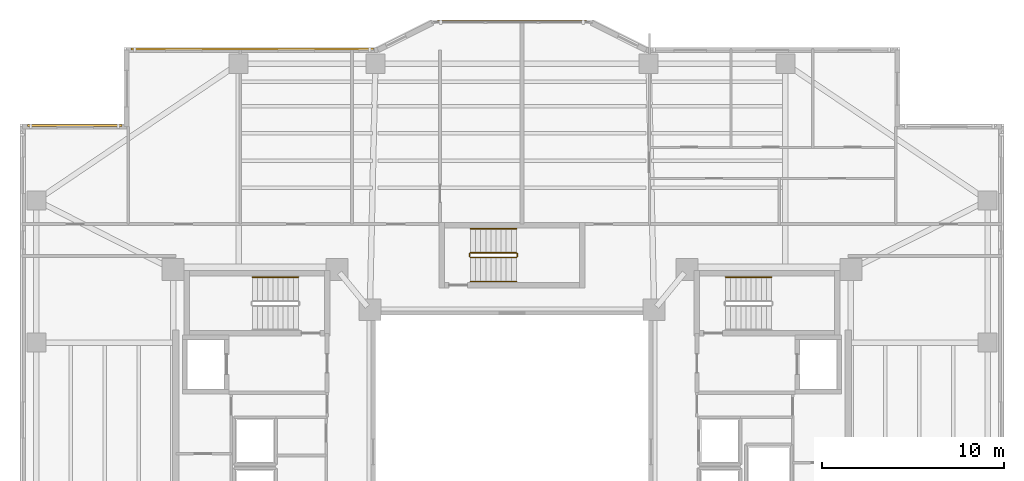
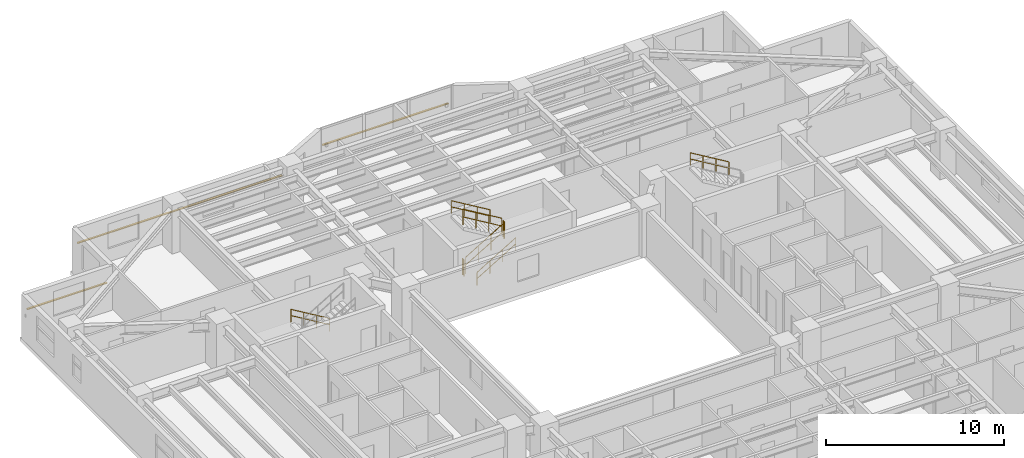
# One storey, part 17 of 18: 8 railings, 3 shading devices.
"""IFC4 building model written with IfcOpenShell, lengths in metres."""

import ifcopenshell
import ifcopenshell.guid

model = None  # the IFC model being written
_history = None  # IfcOwnerHistory: only IFC2X3 demands one
_inside = {}  # id of a spatial element -> (the spatial element, [elements in it])
_under = {}  # id of a project, library or spatial element -> (it, [spatial elements below it])
_declared = {}  # id of a project -> (the project, [libraries it declares])
_typed = {}  # id of a type object -> (the type object, [elements of that type])
_made_of = {}  # id of a material, layer set ... -> (it, [elements and type objects made of it])


def new_model(schema):
    """Start an empty IFC model of exactly this schema.

    Asked for "IFC4X3", IfcOpenShell would pick the latest addendum, in which some entities
    have other attributes; the version numbers below select the first issue.
    IFC2X3 requires an IfcOwnerHistory on every rooted entity: one is made here for all.
    """
    global model, _history
    if schema == "IFC4X3":
        model = ifcopenshell.file(schema_version=(4, 3, 0, 0))
    else:
        model = ifcopenshell.file(schema=schema)
    _inside.clear()
    _under.clear()
    _declared.clear()
    _typed.clear()
    _made_of.clear()
    _history = None
    if model.schema == "IFC2X3":
        org = make("IfcOrganization", Name="unknown")
        user = make(
            "IfcPersonAndOrganization",
            ThePerson=make("IfcPerson", FamilyName="unknown"),
            TheOrganization=org,
        )
        app = make(
            "IfcApplication",
            ApplicationDeveloper=org,
            Version="unknown",
            ApplicationFullName="unknown",
            ApplicationIdentifier="unknown",
        )
        _history = make(
            "IfcOwnerHistory",
            OwningUser=user,
            OwningApplication=app,
            ChangeAction="ADDED",
            CreationDate=0,
        )
    return model


def make(cls, **values):
    """One entity of the class cls with the attributes given. An attribute that is None is left unset."""
    return model.create_entity(
        cls, **{name: value for name, value in values.items() if value is not None}
    )


def rooted(cls, **values):
    """An entity with a GlobalId (a new one), such as an element, a storey or a relation."""
    return make(cls, GlobalId=ifcopenshell.guid.new(), OwnerHistory=_history, **values)


def si_unit(unit_type, name, prefix=None):
    """IfcSIUnit, for example si_unit("LENGTHUNIT", "METRE", prefix="MILLI")."""
    return make("IfcSIUnit", UnitType=unit_type, Prefix=prefix, Name=name)


def assignment(units):
    """IfcUnitAssignment: the units of a project."""
    return None if units is None else make("IfcUnitAssignment", Units=units)


def point(xyz):
    """IfcCartesianPoint."""
    return None if xyz is None else make("IfcCartesianPoint", Coordinates=xyz)


def direction(xyz):
    """IfcDirection."""
    return None if xyz is None else make("IfcDirection", DirectionRatios=xyz)


def frame(location, z_axis=None, x_axis=None):
    """IfcAxis2Placement3D, a coordinate frame: its origin and axes. An axis left out is left unset."""
    return make(
        "IfcAxis2Placement3D",
        Location=point(location),
        Axis=direction(z_axis),
        RefDirection=direction(x_axis),
    )


def frame_2d(location, x_axis=None):
    """IfcAxis2Placement2D, a coordinate frame in the plane: its origin and x axis."""
    return make(
        "IfcAxis2Placement2D", Location=point(location), RefDirection=direction(x_axis)
    )


def origin():
    """The frame at (0, 0, 0) with its axes left unset."""
    return frame((0.0, 0.0, 0.0))


def origin_2d():
    """The frame at (0, 0) in the plane with its x axis left unset."""
    return frame_2d((0.0, 0.0))


def place(relative_to, where):
    """IfcLocalPlacement: puts the frame where relative to a parent placement (None: the world)."""
    return make(
        "IfcLocalPlacement", PlacementRelTo=relative_to, RelativePlacement=where
    )


def context(
    kind, dimensions, precision=None, world=None, true_north=None, identifier=None
):
    """IfcGeometricRepresentationContext, for example the 3D "Model" context."""
    return make(
        "IfcGeometricRepresentationContext",
        ContextIdentifier=identifier,
        ContextType=kind,
        CoordinateSpaceDimension=dimensions,
        Precision=precision,
        WorldCoordinateSystem=world,
        TrueNorth=true_north,
    )


def subcontext(parent, identifier, kind, view, scale=None):
    """IfcGeometricRepresentationSubContext, for example "Body" below "Model"."""
    return make(
        "IfcGeometricRepresentationSubContext",
        ContextIdentifier=identifier,
        ContextType=kind,
        ParentContext=parent,
        TargetScale=scale,
        TargetView=view,
    )


def project(units=None, contexts=None):
    """IfcProject with its units and contexts."""
    return rooted(
        "IfcProject",
        Name="project",
        RepresentationContexts=contexts,
        UnitsInContext=assignment(units),
    )


def spatial(cls, under=None, at=None, **own):
    """A site, building, storey or space (cls), placed at a placement, below another one or the project."""
    s = rooted(cls, ObjectPlacement=at, **own)
    if under is not None:
        _under.setdefault(under.id(), (under, []))[1].append(s)
    return s


def profile(cls, at=None, kind="AREA", **sizes):
    """A parametric profile (cls). Its sizes go by their IFC names, for example OverallWidth=200.0."""
    return make(cls, ProfileType=kind, Position=at, **sizes)


def rectangle(**sizes):
    """IfcRectangleProfileDef."""
    return profile("IfcRectangleProfileDef", **sizes)


def circle(**sizes):
    """IfcCircleProfileDef."""
    return profile("IfcCircleProfileDef", **sizes)


def extrude(swept, where, along, depth):
    """IfcExtrudedAreaSolid: the profile swept, set in the frame where, extruded along a direction by depth."""
    return make(
        "IfcExtrudedAreaSolid",
        SweptArea=swept,
        Position=where,
        ExtrudedDirection=direction(along),
        Depth=depth,
    )


def shape(context_of_items, identifier, shape_type, items):
    """IfcShapeRepresentation: the items that make up one representation, for example the "Body"."""
    return make(
        "IfcShapeRepresentation",
        ContextOfItems=context_of_items,
        RepresentationIdentifier=identifier,
        RepresentationType=shape_type,
        Items=items,
    )


def material(Name=None, Category=None):
    """IfcMaterial."""
    return make("IfcMaterial", Name=Name, Category=Category)


def material_profile(
    of_material, cross_section, Name=None, Category=None, Priority=None
):
    """IfcMaterialProfile: a cross section and its material."""
    return make(
        "IfcMaterialProfile",
        Name=Name,
        Material=of_material,
        Profile=cross_section,
        Priority=Priority,
        Category=Category,
    )


def profile_set(profiles, Name=None, composite=None):
    """IfcMaterialProfileSet."""
    return make(
        "IfcMaterialProfileSet",
        Name=Name,
        MaterialProfiles=profiles,
        CompositeProfile=composite,
    )


def made_of(thing, what):
    """Note that an element or type object is made of a material, layer set ...; save() writes the relation."""
    if what is not None:
        _made_of.setdefault(what.id(), (what, []))[1].append(thing)
    return thing


def type_object(cls, material=None, **own):
    """A type object (cls), such as IfcWallType, which elements share."""
    return made_of(rooted(cls, **own), material)


def element(
    cls,
    number,
    at=None,
    inside=None,
    cuts=None,
    type_object=None,
    material=None,
    context=None,
    identifier="Body",
    shape_type=None,
    held_by="IfcProductDefinitionShape",
    body=None,
    shapes=None,
    **own,
):
    """One element of the class cls, such as IfcWall. Its Tag is "e" and its number.

    at: its placement. inside: the storey or other place that contains it. cuts: it is an
    opening in that element (IfcRelVoidsElement). A single representation is given by context,
    identifier, shape_type and body (its items); several are given by shapes. held_by: the class
    of the entity that holds the representations. save() writes the other relations.
    """
    e = rooted(cls, Tag="e%d" % number, ObjectPlacement=at, **own)
    if body is not None:
        shapes = [shape(context, identifier, shape_type, body)]
    if shapes is not None:
        e.Representation = make(held_by, Representations=shapes)
    if inside is not None:
        _inside.setdefault(inside.id(), (inside, []))[1].append(e)
    if cuts is not None:
        rooted(
            "IfcRelVoidsElement", RelatingBuildingElement=cuts, RelatedOpeningElement=e
        )
    if type_object is not None:
        _typed.setdefault(type_object.id(), (type_object, []))[1].append(e)
    return made_of(e, material)


def aggregate(whole, parts):
    """IfcRelAggregates: a whole, such as a stair, and the parts it consists of."""
    return rooted("IfcRelAggregates", RelatingObject=whole, RelatedObjects=parts)


def save(model, path):
    """Write the relations noted so far, then the file.

    IfcRelAggregates (storeys below a building ...), IfcRelContainedInSpatialStructure (elements
    in a storey), IfcRelDefinesByType, IfcRelAssociatesMaterial and IfcRelDeclares: one each for
    every whole, place, type object, material and project.
    """
    for whole, parts in _under.values():
        aggregate(whole, parts)
    for where, things in _inside.values():
        rooted(
            "IfcRelContainedInSpatialStructure",
            RelatedElements=things,
            RelatingStructure=where,
        )
    for kind, things in _typed.values():
        rooted("IfcRelDefinesByType", RelatedObjects=things, RelatingType=kind)
    for what, things in _made_of.values():
        rooted("IfcRelAssociatesMaterial", RelatedObjects=things, RelatingMaterial=what)
    for by, libraries in _declared.values():
        rooted("IfcRelDeclares", RelatingContext=by, RelatedDefinitions=libraries)
    model.write(path)


model = new_model("IFC4")

# Units and contexts
model_context = context("Model", 3, precision=1e-05, world=origin(), true_north=direction((0.0, 1.0)))
body_context = subcontext(model_context, "Body", "Model", "MODEL_VIEW")
ifc_project = project(units=[si_unit("LENGTHUNIT", "METRE"), si_unit("AREAUNIT", "SQUARE_METRE"), si_unit("VOLUMEUNIT", "CUBIC_METRE"), si_unit("PLANEANGLEUNIT", "RADIAN"), si_unit("MASSUNIT", "GRAM", prefix="KILO")], contexts=[model_context])

# Site, building, storey
site_placement = place(None, origin())
site = spatial("IfcSite", under=ifc_project, at=site_placement, CompositionType="ELEMENT")
building_placement = place(site_placement, origin())
building = spatial("IfcBuilding", under=site, at=building_placement, Name="Tarnavaz Court Tower", CompositionType="ELEMENT")
storey_placement = place(building_placement, frame((0.0, 0.0, 115.14990234375)))
storey = spatial("IfcBuildingStorey", under=building, at=storey_placement, Name="L31", CompositionType="ELEMENT", Elevation=115.14990234375)

# Railings
ifc_material_1 = material(Name="Brushed Stainless Steel", Category="steel")
railing_type_1 = type_object("IfcRailingType", Name="RL-HANDRAIL-900", PredefinedType="HANDRAIL", material=ifc_material_1)
for number, where, name in (
    (1, (-11.719970703125, 9.590087890625, 0.16748046875), "L31 ST-W1 stair handrail 1"),
    (2, (14.239990234375, 9.590087890625, 1.842529296875), "L31 ST-E1 stair handrail 2"),
):
    element("IfcRailing", number, at=place(storey_placement, frame(where)), inside=storey, type_object=railing_type_1, Name=name, PredefinedType="HANDRAIL", context=body_context, shape_type="SweptSolid", body=[
        extrude(circle(Radius=0.02392578125, at=origin_2d()), frame((0.0, 0.0, 0.8759765625), z_axis=(-0.858159760407, 0.0, 0.513382728203), x_axis=(0.0, -1.0, 0.0)), (0.0, 0.0, 1.0), 2.9365234375),
        extrude(circle(Radius=0.02392578125, at=origin_2d()), frame((0.0, 0.0, 0.449951171875), z_axis=(-0.858159760407, 0.0, 0.513382728203), x_axis=(0.0, -1.0, 0.0)), (0.0, 0.0, 1.0), 2.9365234375),
        extrude(circle(Radius=0.02099609375, at=origin_2d()), origin(), (0.0, 0.0, 1.0), 0.851806640625),
        extrude(circle(Radius=0.02099609375, at=origin_2d()), frame((-0.840087890625, 0.0, 0.50244140625)), (0.0, 0.0, 1.0), 0.851806640625),
        extrude(circle(Radius=0.02099609375, at=origin_2d()), frame((-1.679931640625, 0.0, 1.005126953125)), (0.0, 0.0, 1.0), 0.851806640625),
        extrude(circle(Radius=0.02099609375, at=origin_2d()), frame((-2.52001953125, 0.0, 1.507568359375)), (0.0, 0.0, 1.0), 0.851806640625),
    ])
railing_1_placement = place(storey_placement, frame((-2.280029296875, 9.35009765625, 0.16748046875)))
element("IfcRailing", 3, at=railing_1_placement, inside=storey, type_object=railing_type_1, Name="L31 ST-N1 stair handrail 1", PredefinedType="HANDRAIL", context=body_context, shape_type="SweptSolid", body=[
    extrude(circle(Radius=0.02392578125, at=origin_2d()), frame((0.0, 0.0, 0.8759765625), z_axis=(0.858159760407, 0.0, 0.513382728203), x_axis=(0.0, 1.0, 0.0)), (0.0, 0.0, 1.0), 2.9365234375),
    extrude(circle(Radius=0.02392578125, at=origin_2d()), frame((0.0, 0.0, 0.449951171875), z_axis=(0.858159760407, 0.0, 0.513382728203), x_axis=(0.0, 1.0, 0.0)), (0.0, 0.0, 1.0), 2.9365234375),
    extrude(circle(Radius=0.02099609375, at=origin_2d()), origin(), (0.0, 0.0, 1.0), 0.851806640625),
    extrude(circle(Radius=0.02099609375, at=origin_2d()), frame((0.840087890625, 0.0, 0.50244140625)), (0.0, 0.0, 1.0), 0.851806640625),
    extrude(circle(Radius=0.02099609375, at=origin_2d()), frame((1.679931640625, 0.0, 1.005126953125)), (0.0, 0.0, 1.0), 0.851806640625),
    extrude(circle(Radius=0.02099609375, at=origin_2d()), frame((2.52001953125, 0.0, 1.507568359375)), (0.0, 0.0, 1.0), 0.851806640625),
])
railing_2_placement = place(storey_placement, frame((0.239990234375, 12.239990234375, 1.842529296875)))
element("IfcRailing", 4, at=railing_2_placement, inside=storey, type_object=railing_type_1, Name="L31 ST-N1 stair handrail 2", PredefinedType="HANDRAIL", context=body_context, shape_type="SweptSolid", body=[
    extrude(circle(Radius=0.02392578125, at=origin_2d()), frame((0.0, 0.0, 0.8759765625), z_axis=(-0.858159760407, 0.0, 0.513382728203), x_axis=(0.0, -1.0, 0.0)), (0.0, 0.0, 1.0), 2.9365234375),
    extrude(circle(Radius=0.02392578125, at=origin_2d()), frame((0.0, 0.0, 0.449951171875), z_axis=(-0.858159760407, 0.0, 0.513382728203), x_axis=(0.0, -1.0, 0.0)), (0.0, 0.0, 1.0), 2.9365234375),
    extrude(circle(Radius=0.02099609375, at=origin_2d()), origin(), (0.0, 0.0, 1.0), 0.851806640625),
    extrude(circle(Radius=0.02099609375, at=origin_2d()), frame((-0.840087890625, 0.0, 0.50244140625)), (0.0, 0.0, 1.0), 0.851806640625),
    extrude(circle(Radius=0.02099609375, at=origin_2d()), frame((-1.679931640625, 0.0, 1.005126953125)), (0.0, 0.0, 1.0), 0.851806640625),
    extrude(circle(Radius=0.02099609375, at=origin_2d()), frame((-2.52001953125, 0.0, 1.507568359375)), (0.0, 0.0, 1.0), 0.851806640625),
])
ifc_material_2 = material(Name="Galvanized Painted Tubular Steel", Category="steel")
railing_type_2 = type_object("IfcRailingType", Name="RL-STGUARD-1120", PredefinedType="GUARDRAIL", material=ifc_material_2)
railing_3_placement = place(storey_placement, frame((-2.280029296875, 10.669921875, 0.16748046875)))
element("IfcRailing", 5, at=railing_3_placement, inside=storey, type_object=railing_type_2, Name="L31 ST-N1 stair guard 1", PredefinedType="GUARDRAIL", context=body_context, shape_type="SweptSolid", body=[
    extrude(circle(Radius=0.02392578125, at=origin_2d()), frame((0.0, 0.0, 1.09619140625), z_axis=(0.858159760407, 0.0, 0.513382728203), x_axis=(0.0, 1.0, 0.0)), (0.0, 0.0, 1.0), 2.9365234375),
    extrude(circle(Radius=0.02392578125, at=origin_2d()), frame((0.0, 0.0, 0.56005859375), z_axis=(0.858159760407, 0.0, 0.513382728203), x_axis=(0.0, 1.0, 0.0)), (0.0, 0.0, 1.0), 2.9365234375),
    extrude(circle(Radius=0.02099609375, at=origin_2d()), origin(), (0.0, 0.0, 1.0), 1.072021484375),
    extrude(circle(Radius=0.02099609375, at=origin_2d()), frame((0.840087890625, 0.0, 0.50244140625)), (0.0, 0.0, 1.0), 1.072021484375),
    extrude(circle(Radius=0.02099609375, at=origin_2d()), frame((1.679931640625, 0.0, 1.005126953125)), (0.0, 0.0, 1.0), 1.072021484375),
    extrude(circle(Radius=0.02099609375, at=origin_2d()), frame((2.52001953125, 0.0, 1.507568359375)), (0.0, 0.0, 1.0), 1.072021484375),
])
railing_4_placement = place(storey_placement, frame((0.2900390625, 10.719970703125, 1.675048828125)))
element("IfcRailing", 6, at=railing_4_placement, inside=storey, type_object=railing_type_2, Name="L31 ST-N1 stair guard 2", PredefinedType="GUARDRAIL", context=body_context, shape_type="SweptSolid", body=[
    extrude(circle(Radius=0.02392578125, at=origin_2d()), frame((0.0, 0.0, 1.09619140625), z_axis=(0.0, 1.0, 0.0), x_axis=(-1.0, 0.0, 0.0)), (0.0, 0.0, 1.0), 0.150146484375),
    extrude(circle(Radius=0.02392578125, at=origin_2d()), frame((0.0, 0.0, 0.56005859375), z_axis=(0.0, 1.0, 0.0), x_axis=(-1.0, 0.0, 0.0)), (0.0, 0.0, 1.0), 0.150146484375),
    extrude(circle(Radius=0.02099609375, at=origin_2d()), origin(), (0.0, 0.0, 1.0), 1.072021484375),
    extrude(circle(Radius=0.02099609375, at=origin_2d()), frame((0.0, 0.150146484375, 0.0)), (0.0, 0.0, 1.0), 1.072021484375),
])
railing_5_placement = place(storey_placement, frame((0.239990234375, 10.919921875, 1.842529296875)))
element("IfcRailing", 7, at=railing_5_placement, inside=storey, type_object=railing_type_2, Name="L31 ST-N1 stair guard 3", PredefinedType="GUARDRAIL", context=body_context, shape_type="SweptSolid", body=[
    extrude(circle(Radius=0.02392578125, at=origin_2d()), frame((0.0, 0.0, 1.09619140625), z_axis=(-0.858159760407, 0.0, 0.513382728203), x_axis=(0.0, -1.0, 0.0)), (0.0, 0.0, 1.0), 2.9365234375),
    extrude(circle(Radius=0.02392578125, at=origin_2d()), frame((0.0, 0.0, 0.56005859375), z_axis=(-0.858159760407, 0.0, 0.513382728203), x_axis=(0.0, -1.0, 0.0)), (0.0, 0.0, 1.0), 2.9365234375),
    extrude(circle(Radius=0.02099609375, at=origin_2d()), origin(), (0.0, 0.0, 1.0), 1.072021484375),
    extrude(circle(Radius=0.02099609375, at=origin_2d()), frame((-0.840087890625, 0.0, 0.50244140625)), (0.0, 0.0, 1.0), 1.072021484375),
    extrude(circle(Radius=0.02099609375, at=origin_2d()), frame((-1.679931640625, 0.0, 1.005126953125)), (0.0, 0.0, 1.0), 1.072021484375),
    extrude(circle(Radius=0.02099609375, at=origin_2d()), frame((-2.52001953125, 0.0, 1.507568359375)), (0.0, 0.0, 1.0), 1.072021484375),
])
railing_6_placement = place(storey_placement, frame((-2.330078125, 10.719970703125, 0.0)))
element("IfcRailing", 8, at=railing_6_placement, inside=storey, type_object=railing_type_2, Name="L31 ST-N1 stair guard 4", PredefinedType="GUARDRAIL", context=body_context, shape_type="SweptSolid", body=[
    extrude(circle(Radius=0.02392578125, at=origin_2d()), frame((0.0, 0.0, 1.09619140625), z_axis=(0.0, 1.0, 0.0), x_axis=(-1.0, 0.0, 0.0)), (0.0, 0.0, 1.0), 0.150146484375),
    extrude(circle(Radius=0.02392578125, at=origin_2d()), frame((0.0, 0.0, 0.56005859375), z_axis=(0.0, 1.0, 0.0), x_axis=(-1.0, 0.0, 0.0)), (0.0, 0.0, 1.0), 0.150146484375),
    extrude(circle(Radius=0.02099609375, at=origin_2d()), origin(), (0.0, 0.0, 1.0), 1.072021484375),
    extrude(circle(Radius=0.02099609375, at=origin_2d()), frame((0.0, 0.150146484375, 0.0)), (0.0, 0.0, 1.0), 1.072021484375),
])

# Shading devices
ifc_material_3 = material(Name="Kiln-Fired Khorasan Terracotta Ceramic", Category="masonry")
ifc_material_profile = material_profile(ifc_material_3, rectangle(XDim=0.1201171875, YDim=0.06005859375, at=origin_2d()), Name="TC BAGUETTE 120X60")
ifc_profile_set = profile_set([ifc_material_profile], Name="Kiln-Fired Khorasan Terracotta Ceramic")
shading_device_type = type_object("IfcShadingDeviceType", Name="SD-BAG-120", PredefinedType="USERDEFINED", material=ifc_profile_set)
shading_device_1_placement = place(storey_placement, frame((-26.60009765625, 17.909912109375, 1.85009765625), z_axis=(1.0, 0.0, 0.0), x_axis=(0.0, 1.0, 0.0)))
element("IfcShadingDevice", 9, at=shading_device_1_placement, inside=storey, type_object=shading_device_type, Name="L31 Terracotta Baguette Screen FBG03", ObjectType="BAGUETTE", PredefinedType="USERDEFINED", context=body_context, shape_type="SweptSolid", body=[
    extrude(rectangle(XDim=0.1201171875, YDim=0.06005859375, at=origin_2d()), origin(), (0.0, 0.0, 1.0), 5.2001953125),
])
shading_device_2_placement = place(storey_placement, frame((-20.89990234375, 22.110107421875, 1.85009765625), z_axis=(1.0, 0.0, 0.0), x_axis=(0.0, 1.0, 0.0)))
element("IfcShadingDevice", 10, at=shading_device_2_placement, inside=storey, type_object=shading_device_type, Name="L31 Terracotta Baguette Screen FBG05", ObjectType="BAGUETTE", PredefinedType="USERDEFINED", context=body_context, shape_type="SweptSolid", body=[
    extrude(rectangle(XDim=0.1201171875, YDim=0.06005859375, at=origin_2d()), origin(), (0.0, 0.0, 1.0), 13.2998046875),
])
shading_device_3_placement = place(storey_placement, frame((-4.10009765625, 23.610107421875, 1.800048828125), z_axis=(1.0, 0.0, 0.0), x_axis=(0.0, 1.0, 0.0)))
element("IfcShadingDevice", 11, at=shading_device_3_placement, inside=storey, type_object=shading_device_type, Name="L31 Terracotta Baguette Screen PBG7", ObjectType="BAGUETTE", PredefinedType="USERDEFINED", context=body_context, shape_type="SweptSolid", body=[
    extrude(rectangle(XDim=0.1201171875, YDim=0.06005859375, at=origin_2d()), origin(), (0.0, 0.0, 1.0), 8.2001953125),
])

save(model, "model.ifc")
